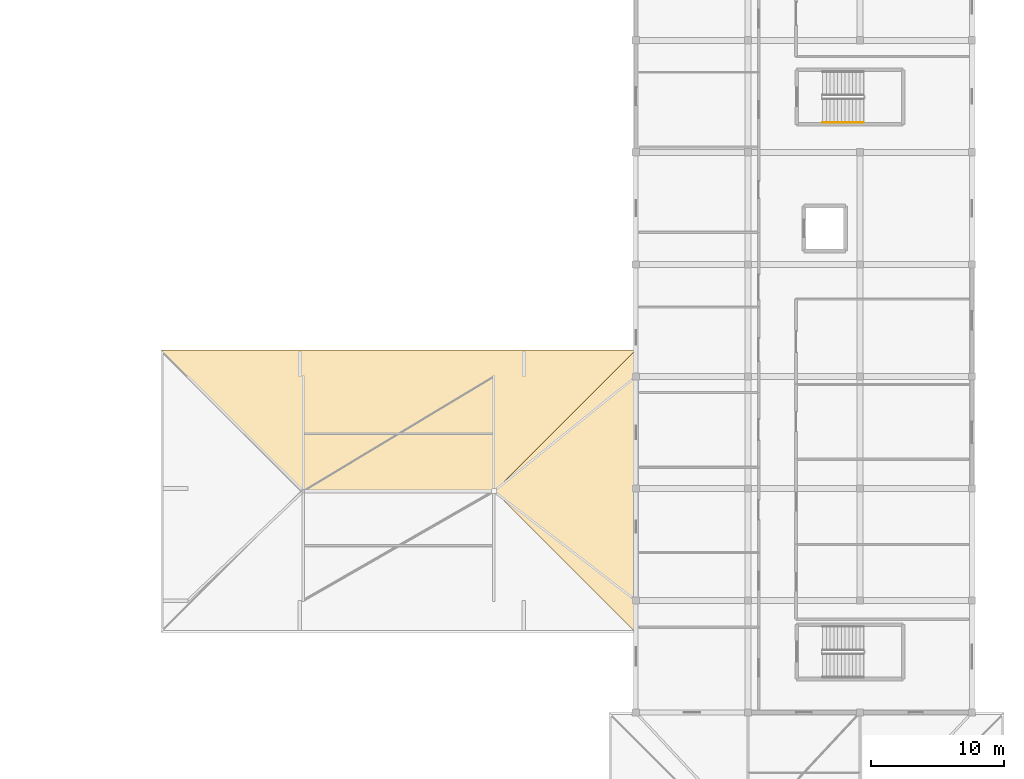
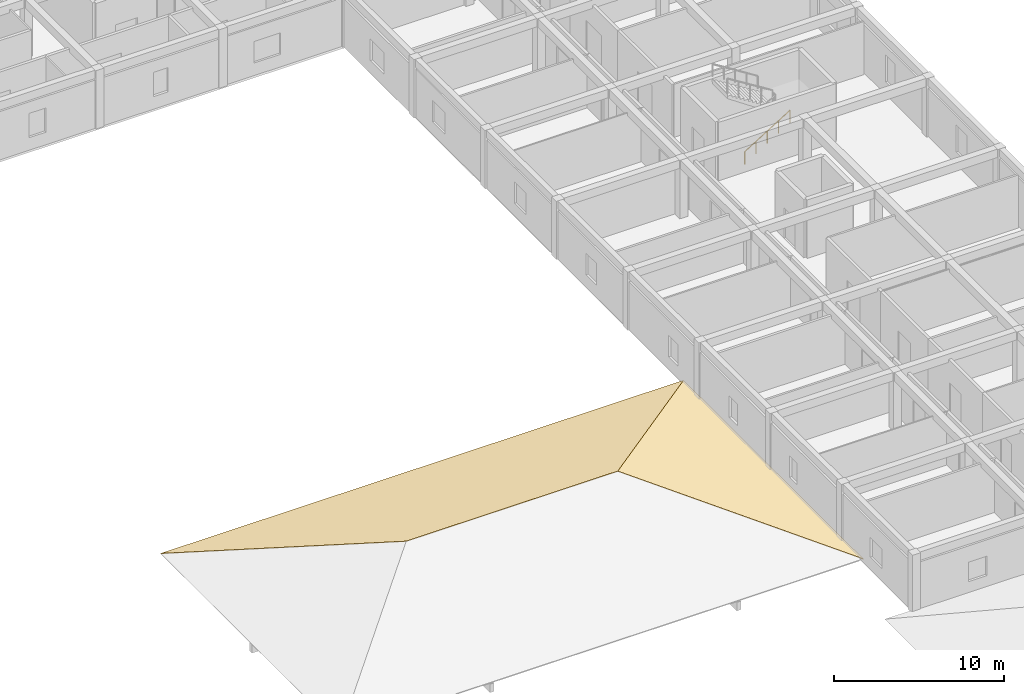
# One storey, part 39 of 42: 2 coverings, 1 railing, 1 element without a shape of its own.
"""IFC4 building model written with IfcOpenShell, lengths in metres."""

from ifc_helpers import new_model, si_unit, direction, frame, origin, origin_2d, place, context, subcontext, project, spatial, polyline, circle, outline, extrude, material, layer, layer_set, type_object, element, aggregate, save


model = new_model("IFC4")

# Units and contexts
model_context = context("Model", 3, precision=1e-05, world=origin(), true_north=direction((0.0, 1.0)))
body_context = subcontext(model_context, "Body", "Model", "MODEL_VIEW")
ifc_project = project(units=[si_unit("LENGTHUNIT", "METRE"), si_unit("AREAUNIT", "SQUARE_METRE"), si_unit("VOLUMEUNIT", "CUBIC_METRE"), si_unit("PLANEANGLEUNIT", "RADIAN"), si_unit("MASSUNIT", "GRAM", prefix="KILO")], contexts=[model_context])

# Site, building, storey
site_placement = place(None, origin())
site = spatial("IfcSite", under=ifc_project, at=site_placement, CompositionType="ELEMENT")
building_placement = place(site_placement, origin())
building = spatial("IfcBuilding", under=site, at=building_placement, Name="Varncliffe General Hospital", CompositionType="ELEMENT")
storey_placement = place(building_placement, frame((0.0, 0.0, 20.39990234375)))
storey = spatial("IfcBuildingStorey", under=building, at=storey_placement, Name="L04", CompositionType="ELEMENT", Elevation=20.39990234375)

# Railing
ifc_material_1 = material(Name="Powder-coated hospital steel guardrail and handrail", Category="steel")
railing_type = type_object("IfcRailingType", Name="Stair and Ramp Handrail HR46", PredefinedType="HANDRAIL", material=ifc_material_1)
railing_placement = place(storey_placement, frame((165.199951171875, 59.85009765625, 0.35400390625)))
element("IfcRailing", 1, at=railing_placement, inside=storey, type_object=railing_type, Name="L04 ST07 stair handrail 1", PredefinedType="HANDRAIL", context=body_context, shape_type="SweptSolid", body=[
    extrude(circle(Radius=0.02392578125, at=origin_2d()), frame((0.0, 0.0, 0.8759765625), z_axis=(0.847998304005, 0.0, 0.529998940003), x_axis=(0.0, 1.0, 0.0)), (0.0, 0.0, 1.0), 3.632080078125),
    extrude(circle(Radius=0.02099609375, at=origin_2d()), origin(), (0.0, 0.0, 1.0), 0.851806640625),
    extrude(circle(Radius=0.02099609375, at=origin_2d()), frame((0.77001953125, 0.0, 0.481201171875)), (0.0, 0.0, 1.0), 0.851806640625),
    extrude(circle(Radius=0.02099609375, at=origin_2d()), frame((1.5400390625, 0.0, 0.96240234375)), (0.0, 0.0, 1.0), 0.851806640625),
    extrude(circle(Radius=0.02099609375, at=origin_2d()), frame((2.31005859375, 0.0, 1.44384765625)), (0.0, 0.0, 1.0), 0.851806640625),
    extrude(circle(Radius=0.02099609375, at=origin_2d()), frame((3.080078125, 0.0, 1.925048828125)), (0.0, 0.0, 1.0), 0.851806640625),
])

# Roof, coverings
ifc_material_2 = material(Name="Terracotta clay roof tile over waterproof membrane", Category="masonry")
roof_type = type_object("IfcRoofType", Name="Hipped Clay-Tile Roof Assembly HR20", PredefinedType="HIP_ROOF", material=ifc_material_2)
roof_placement = place(storey_placement, origin())
roof = element("IfcRoof", 2, at=roof_placement, inside=storey, type_object=roof_type, Name="L04 Hipped Roof RF-V5-S", PredefinedType="HIP_ROOF")
ifc_layer = layer(ifc_material_2, 0.044921875)
ifc_layer_set = layer_set([ifc_layer], Name="Terracotta clay roof tile over waterproof membrane")
covering_type = type_object("IfcCoveringType", Name="Terracotta Clay Tile Roofing RFG24", PredefinedType="ROOFING", material=ifc_layer_set)
covering_1_placement = place(storey_placement, frame((151.199951171875, 42.800048828125, 0.045166015625), z_axis=(0.0, 0.321568038064, 0.946886475189), x_axis=(-1.0, 0.0, 0.0)))
covering_1 = element("IfcCovering", 3, at=covering_1_placement, type_object=covering_type, Name="L04 RF-V5-S Terracotta Clay Tile Slope N", PredefinedType="ROOFING", context=body_context, shape_type="SweptSolid", body=[
    extrude(outline(polyline([(0.0, 0.0), (35.599853515625, 0.0), (25.0, 11.194686938722064), (10.599853515625, 11.194686938722064), (0.0, 0.0)])), origin(), (0.0, 0.0, -1.0), 0.044921875),
])
covering_2_placement = place(storey_placement, frame((151.199951171875, 21.60009765625, 0.045166015625), z_axis=(0.321574678664, 0.0, 0.946884219977), x_axis=(0.0, 1.0, 0.0)))
covering_2 = element("IfcCovering", 4, at=covering_2_placement, type_object=covering_type, Name="L04 RF-V5-S Terracotta Clay Tile Slope E", PredefinedType="ROOFING", context=body_context, shape_type="SweptSolid", body=[
    extrude(outline(polyline([(0.0, 0.0), (21.199951171875, 0.0), (10.599853515625, 11.194455765541502), (0.0, 0.0)])), origin(), (0.0, 0.0, -1.0), 0.044921875),
])
aggregate(roof, [covering_1, covering_2])

save(model, "model.ifc")
